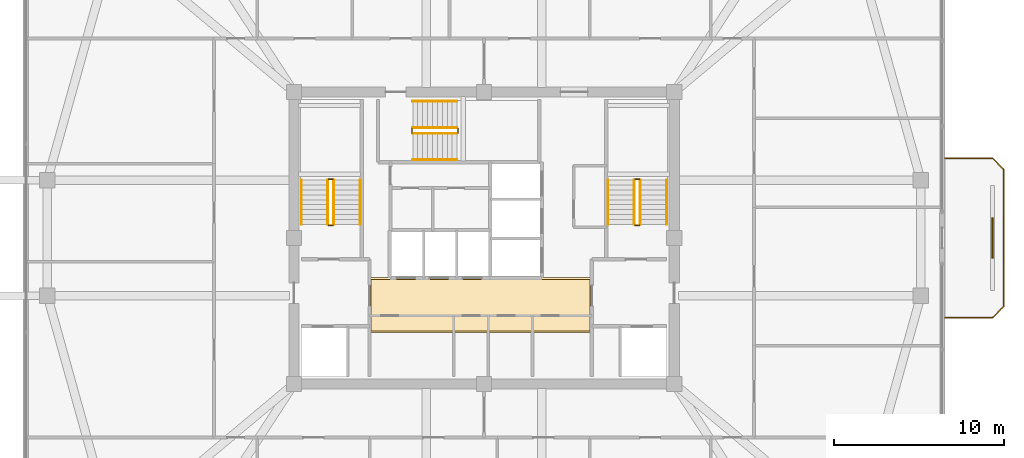
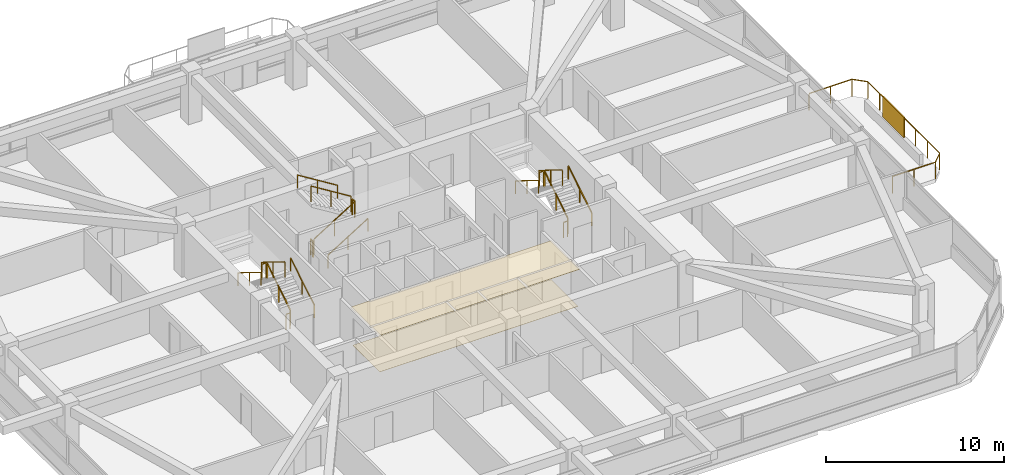
# One storey, part 13 of 14: 19 railings, 2 coverings, 1 shading device.
"""IFC4 building model written with IfcOpenShell, lengths in metres."""

from ifc_helpers import new_model, si_unit, derived_unit, direction, frame, origin, origin_2d, place, context, subcontext, project, spatial, polyline, rectangle, outline, extrude, material, layer, layer_set, type_object, element, save


model = new_model("IFC4")

# Units and contexts
model_context = context("Model", 3, precision=1e-05, world=origin(), true_north=direction((0.0, 1.0)))
body_context = subcontext(model_context, "Body", "Model", "MODEL_VIEW")
ifc_project = project(units=[si_unit("LENGTHUNIT", "METRE"), si_unit("AREAUNIT", "SQUARE_METRE"), si_unit("VOLUMEUNIT", "CUBIC_METRE"), si_unit("PLANEANGLEUNIT", "RADIAN"), si_unit("MASSUNIT", "GRAM", prefix="KILO"), derived_unit("THERMALTRANSMITTANCEUNIT", [(si_unit("POWERUNIT", "WATT"), 1), (si_unit("LENGTHUNIT", "METRE"), -2), (si_unit("THERMODYNAMICTEMPERATUREUNIT", "KELVIN"), -1)])], contexts=[model_context])

# Site, building, storey
site_placement = place(None, origin())
site = spatial("IfcSite", under=ifc_project, at=site_placement, CompositionType="ELEMENT")
building_placement = place(site_placement, origin())
building = spatial("IfcBuilding", under=site, at=building_placement, Name="Koralith Skygarden Medical Center", CompositionType="ELEMENT")
storey_placement = place(building_placement, frame((0.0, 0.0, 225.179931640625)))
storey = spatial("IfcBuildingStorey", under=building, at=storey_placement, Name="L58", CompositionType="ELEMENT", Elevation=225.179931640625)

# Covering
ifc_material_1 = material(Name="Acoustic Mineral Tile")
ifc_layer_1 = layer(ifc_material_1, 0.02001953125)
ifc_layer_set_1 = layer_set([ifc_layer_1], Name="Acoustic Mineral Tile")
covering_type_1 = type_object("IfcCoveringType", Name="Acoustic Hygienic Mineral Ceiling 20", PredefinedType="CEILING", material=ifc_layer_set_1)
covering_1_placement = place(storey_placement, frame((0.0, 0.0, 2.5849609375)))
element("IfcCovering", 1, at=covering_1_placement, inside=storey, type_object=covering_type_1, Name="L58 Core Lobby Acoustic Ceiling", PredefinedType="CEILING", context=body_context, shape_type="SweptSolid", body=[
    extrude(outline(polyline([(30.25, 20.320068359375), (43.35009765625, 20.320068359375), (43.35009765625, 23.56005859375), (30.25, 23.56005859375), (30.25, 20.320068359375)])), origin(), (0.0, 0.0, 1.0), 0.02001953125),
])

# Railing
ifc_material_2 = material(Name="Steel ASTM A500 Grade C", Category="steel")
railing_type_1 = type_object("IfcRailingType", Name="Outdoor Terrace & Balcony Safety Guardrail 1180", PredefinedType="GUARDRAIL", material=ifc_material_2)
railing_1_placement = place(storey_placement, frame((64.14208984375, 21.199951171875, 0.0)))
element("IfcRailing", 2, at=railing_1_placement, inside=storey, type_object=railing_type_1, Name="L58 E Balcony Perimeter Guardrail", PredefinedType="GUARDRAIL", context=body_context, shape_type="SweptSolid", body=[
    extrude(rectangle(XDim=0.050048828125, YDim=0.050048828125, at=origin_2d()), frame((0.001953125, 0.0, 1.15478515625), z_axis=(1.0, 0.0, 0.0), x_axis=(0.0, 1.0, 0.0)), (0.0, 0.0, 1.0), 2.7958984375),
    extrude(rectangle(XDim=0.050048828125, YDim=0.050048828125, at=origin_2d()), frame((2.80126953125, 0.00146484375, 1.15478515625), z_axis=(0.707106781187, 0.707106781187, 0.0), x_axis=(-0.707106781187, 0.707106781187, 0.0)), (0.0, 0.0, 1.0), 0.91552734375),
    extrude(rectangle(XDim=0.050048828125, YDim=0.050048828125, at=origin_2d()), frame((3.449951171875, 0.652099609375, 1.15478515625), z_axis=(0.0, 1.0, 0.0), x_axis=(-1.0, 0.0, 0.0)), (0.0, 0.0, 1.0), 8.095947265625),
    extrude(rectangle(XDim=0.050048828125, YDim=0.050048828125, at=origin_2d()), frame((3.448486328125, 8.75146484375, 1.15478515625), z_axis=(-0.707106781187, 0.707106781187, 0.0), x_axis=(-0.707106781187, -0.707106781187, 0.0)), (0.0, 0.0, 1.0), 0.91552734375),
    extrude(rectangle(XDim=0.050048828125, YDim=0.050048828125, at=origin_2d()), frame((2.7978515625, 9.400146484375, 1.15478515625), z_axis=(-1.0, 0.0, 0.0), x_axis=(0.0, -1.0, 0.0)), (0.0, 0.0, 1.0), 2.7958984375),
    extrude(rectangle(XDim=0.0419921875, YDim=0.0419921875, at=origin_2d()), origin(), (0.0, 0.0, 1.0), 1.1279296875),
    extrude(rectangle(XDim=0.0419921875, YDim=0.0419921875, at=origin_2d()), frame((1.39990234375, 0.0, 0.0)), (0.0, 0.0, 1.0), 1.1279296875),
    extrude(rectangle(XDim=0.0419921875, YDim=0.0419921875, at=origin_2d()), frame((2.7998046875, 0.0, 0.0)), (0.0, 0.0, 1.0), 1.1279296875),
    extrude(rectangle(XDim=0.0419921875, YDim=0.0419921875, at=origin_2d()), frame((3.449951171875, 0.650146484375, 0.0)), (0.0, 0.0, 1.0), 1.1279296875),
    extrude(rectangle(XDim=0.0419921875, YDim=0.0419921875, at=origin_2d()), frame((3.449951171875, 2.0, 0.0)), (0.0, 0.0, 1.0), 1.1279296875),
    extrude(rectangle(XDim=0.0419921875, YDim=0.0419921875, at=origin_2d()), frame((3.449951171875, 3.35009765625, 0.0)), (0.0, 0.0, 1.0), 1.1279296875),
    extrude(rectangle(XDim=0.0419921875, YDim=0.0419921875, at=origin_2d()), frame((3.449951171875, 4.7001953125, 0.0)), (0.0, 0.0, 1.0), 1.1279296875),
    extrude(rectangle(XDim=0.0419921875, YDim=0.0419921875, at=origin_2d()), frame((3.449951171875, 6.050048828125, 0.0)), (0.0, 0.0, 1.0), 1.1279296875),
    extrude(rectangle(XDim=0.0419921875, YDim=0.0419921875, at=origin_2d()), frame((3.449951171875, 7.39990234375, 0.0)), (0.0, 0.0, 1.0), 1.1279296875),
    extrude(rectangle(XDim=0.0419921875, YDim=0.0419921875, at=origin_2d()), frame((3.449951171875, 8.75, 0.0)), (0.0, 0.0, 1.0), 1.1279296875),
    extrude(rectangle(XDim=0.0419921875, YDim=0.0419921875, at=origin_2d()), frame((2.7998046875, 9.400146484375, 0.0)), (0.0, 0.0, 1.0), 1.1279296875),
    extrude(rectangle(XDim=0.0419921875, YDim=0.0419921875, at=origin_2d()), frame((1.39990234375, 9.400146484375, 0.0)), (0.0, 0.0, 1.0), 1.1279296875),
    extrude(rectangle(XDim=0.0419921875, YDim=0.0419921875, at=origin_2d()), frame((0.0, 9.400146484375, 0.0)), (0.0, 0.0, 1.0), 1.1279296875),
])

# Shading device
ifc_material_3 = material(Name="Aluminium 6063-T6", Category="aluminium")
ifc_layer_2 = layer(ifc_material_3, 0.080078125)
ifc_layer_set_2 = layer_set([ifc_layer_2], Name="Aluminium 6063-T6")
shading_device_type = type_object("IfcShadingDeviceType", Name="Perforated Biophilic Balcony Trellis Screen", PredefinedType="USERDEFINED", material=ifc_layer_set_2)
shading_device_placement = place(storey_placement, frame((66.94189453125, 25.89990234375, 0.72021484375), z_axis=(0.0, 0.0, 1.0), x_axis=(0.0, 1.0, 0.0)))
element("IfcShadingDevice", 3, at=shading_device_placement, inside=storey, type_object=shading_device_type, Name="L58 E Biophilic Balcony Trellis Screen", ObjectType="HURRICANE SCREEN", PredefinedType="USERDEFINED", context=body_context, shape_type="SweptSolid", body=[
    extrude(rectangle(XDim=2.39990234375, YDim=0.080078125, at=origin_2d()), origin(), (0.0, 0.0, 1.0), 1.39990234375),
])

# Covering
ifc_material_4 = material(Name="Medical Terrazzo Flooring")
ifc_layer_3 = layer(ifc_material_4, 0.014892578125)
ifc_layer_set_3 = layer_set([ifc_layer_3], Name="Medical Terrazzo Flooring")
covering_type_2 = type_object("IfcCoveringType", Name="Seamless Antimicrobial Terrazzo Flooring 15", PredefinedType="FLOORING", material=ifc_layer_set_3)
covering_2_placement = place(storey_placement, origin())
element("IfcCovering", 4, at=covering_2_placement, inside=storey, type_object=covering_type_2, Name="L58 Core Lobby Terrazzo Flooring", PredefinedType="FLOORING", context=body_context, shape_type="SweptSolid", body=[
    extrude(outline(polyline([(30.35009765625, 20.419921875), (43.25, 20.419921875), (43.25, 23.4599609375), (30.35009765625, 23.4599609375), (30.35009765625, 20.419921875)])), origin(), (0.0, 0.0, 1.0), 0.01513671875),
])

# Railings
railing_type_2 = type_object("IfcRailingType", Name="Stair Flight Tubular Handrail 920", PredefinedType="HANDRAIL", material=ifc_material_2)
railing_2_placement = place(storey_placement, frame((29.699951171875, 26.699951171875, 0.18017578125)))
element("IfcRailing", 5, at=railing_2_placement, inside=storey, type_object=railing_type_2, Name="L58 ST1 stair handrail 1", PredefinedType="HANDRAIL", context=body_context, shape_type="SweptSolid", body=[
    extrude(rectangle(XDim=0.050048828125, YDim=0.050048828125, at=origin_2d()), frame((0.0, 0.001708984375, 0.89599609375), z_axis=(0.0, 0.849668407637, 0.527317358963), x_axis=(-1.0, 0.0, 0.0)), (0.0, 0.0, 1.0), 3.06787109375),
    extrude(rectangle(XDim=0.0419921875, YDim=0.0419921875, at=origin_2d()), origin(), (0.0, 0.0, 1.0), 0.867919921875),
    extrude(rectangle(XDim=0.0419921875, YDim=0.0419921875, at=origin_2d()), frame((0.0, 1.30517578125, 0.81005859375)), (0.0, 0.0, 1.0), 0.867919921875),
    extrude(rectangle(XDim=0.0419921875, YDim=0.0419921875, at=origin_2d()), frame((0.0, 2.610107421875, 1.619873046875)), (0.0, 0.0, 1.0), 0.867919921875),
])
railing_3_placement = place(storey_placement, frame((26.25, 29.31005859375, 1.97998046875)))
element("IfcRailing", 6, at=railing_3_placement, inside=storey, type_object=railing_type_2, Name="L58 ST1 stair handrail 2", PredefinedType="HANDRAIL", context=body_context, shape_type="SweptSolid", body=[
    extrude(rectangle(XDim=0.050048828125, YDim=0.050048828125, at=origin_2d()), frame((0.0, -0.001708984375, 0.89599609375), z_axis=(0.0, -0.849632798774, 0.527374731332), x_axis=(1.0, 0.0, 0.0)), (0.0, 0.0, 1.0), 3.068115234375),
    extrude(rectangle(XDim=0.0419921875, YDim=0.0419921875, at=origin_2d()), origin(), (0.0, 0.0, 1.0), 0.867919921875),
    extrude(rectangle(XDim=0.0419921875, YDim=0.0419921875, at=origin_2d()), frame((0.0, -1.30517578125, 0.81005859375)), (0.0, 0.0, 1.0), 0.867919921875),
    extrude(rectangle(XDim=0.0419921875, YDim=0.0419921875, at=origin_2d()), frame((0.0, -2.610107421875, 1.6201171875)), (0.0, 0.0, 1.0), 0.867919921875),
])
railing_4_placement = place(storey_placement, frame((47.75, 26.699951171875, 0.18017578125)))
element("IfcRailing", 7, at=railing_4_placement, inside=storey, type_object=railing_type_2, Name="L58 ST2 stair handrail 1", PredefinedType="HANDRAIL", context=body_context, shape_type="SweptSolid", body=[
    extrude(rectangle(XDim=0.050048828125, YDim=0.050048828125, at=origin_2d()), frame((0.0, 0.001708984375, 0.89599609375), z_axis=(0.0, 0.849668407637, 0.527317358963), x_axis=(-1.0, 0.0, 0.0)), (0.0, 0.0, 1.0), 3.06787109375),
    extrude(rectangle(XDim=0.0419921875, YDim=0.0419921875, at=origin_2d()), origin(), (0.0, 0.0, 1.0), 0.867919921875),
    extrude(rectangle(XDim=0.0419921875, YDim=0.0419921875, at=origin_2d()), frame((0.0, 1.30517578125, 0.81005859375)), (0.0, 0.0, 1.0), 0.867919921875),
    extrude(rectangle(XDim=0.0419921875, YDim=0.0419921875, at=origin_2d()), frame((0.0, 2.610107421875, 1.619873046875)), (0.0, 0.0, 1.0), 0.867919921875),
])
railing_5_placement = place(storey_placement, frame((44.300048828125, 29.31005859375, 1.97998046875)))
element("IfcRailing", 8, at=railing_5_placement, inside=storey, type_object=railing_type_2, Name="L58 ST2 stair handrail 2", PredefinedType="HANDRAIL", context=body_context, shape_type="SweptSolid", body=[
    extrude(rectangle(XDim=0.050048828125, YDim=0.050048828125, at=origin_2d()), frame((0.0, -0.001708984375, 0.89599609375), z_axis=(0.0, -0.849632798774, 0.527374731332), x_axis=(1.0, 0.0, 0.0)), (0.0, 0.0, 1.0), 3.068115234375),
    extrude(rectangle(XDim=0.0419921875, YDim=0.0419921875, at=origin_2d()), origin(), (0.0, 0.0, 1.0), 0.867919921875),
    extrude(rectangle(XDim=0.0419921875, YDim=0.0419921875, at=origin_2d()), frame((0.0, -1.30517578125, 0.81005859375)), (0.0, 0.0, 1.0), 0.867919921875),
    extrude(rectangle(XDim=0.0419921875, YDim=0.0419921875, at=origin_2d()), frame((0.0, -2.610107421875, 1.6201171875)), (0.0, 0.0, 1.0), 0.867919921875),
])
railing_6_placement = place(storey_placement, frame((32.800048828125, 30.5, 0.18017578125)))
element("IfcRailing", 9, at=railing_6_placement, inside=storey, type_object=railing_type_2, Name="L58 ST3 stair handrail 1", PredefinedType="HANDRAIL", context=body_context, shape_type="SweptSolid", body=[
    extrude(rectangle(XDim=0.050048828125, YDim=0.050048828125, at=origin_2d()), frame((0.001708984375, 0.0, 0.89599609375), z_axis=(0.849646306263, 0.0, 0.527352969322), x_axis=(0.0, 1.0, 0.0)), (0.0, 0.0, 1.0), 3.067626953125),
    extrude(rectangle(XDim=0.0419921875, YDim=0.0419921875, at=origin_2d()), origin(), (0.0, 0.0, 1.0), 0.867919921875),
    extrude(rectangle(XDim=0.0419921875, YDim=0.0419921875, at=origin_2d()), frame((1.304931640625, 0.0, 0.81005859375)), (0.0, 0.0, 1.0), 0.867919921875),
    extrude(rectangle(XDim=0.0419921875, YDim=0.0419921875, at=origin_2d()), frame((2.60986328125, 0.0, 1.619873046875)), (0.0, 0.0, 1.0), 0.867919921875),
])
railing_7_placement = place(storey_placement, frame((35.409912109375, 33.949951171875, 1.97998046875)))
element("IfcRailing", 10, at=railing_7_placement, inside=storey, type_object=railing_type_2, Name="L58 ST3 stair handrail 2", PredefinedType="HANDRAIL", context=body_context, shape_type="SweptSolid", body=[
    extrude(rectangle(XDim=0.050048828125, YDim=0.050048828125, at=origin_2d()), frame((-0.001708984375, 0.0, 0.89599609375), z_axis=(-0.849610693518, 0.0, 0.52741034258), x_axis=(0.0, -1.0, 0.0)), (0.0, 0.0, 1.0), 3.06787109375),
    extrude(rectangle(XDim=0.0419921875, YDim=0.0419921875, at=origin_2d()), origin(), (0.0, 0.0, 1.0), 0.867919921875),
    extrude(rectangle(XDim=0.0419921875, YDim=0.0419921875, at=origin_2d()), frame((-1.304931640625, 0.0, 0.81005859375)), (0.0, 0.0, 1.0), 0.867919921875),
    extrude(rectangle(XDim=0.0419921875, YDim=0.0419921875, at=origin_2d()), frame((-2.60986328125, 0.0, 1.6201171875)), (0.0, 0.0, 1.0), 0.867919921875),
])
railing_type_3 = type_object("IfcRailingType", Name="Stair Well Safety Guardrail 1100", PredefinedType="GUARDRAIL", material=ifc_material_2)
railing_8_placement = place(storey_placement, frame((28.14990234375, 26.699951171875, 0.18017578125)))
element("IfcRailing", 11, at=railing_8_placement, inside=storey, type_object=railing_type_3, Name="L58 ST1 stair guard 1", PredefinedType="GUARDRAIL", context=body_context, shape_type="SweptSolid", body=[
    extrude(rectangle(XDim=0.050048828125, YDim=0.050048828125, at=origin_2d()), frame((0.0, 0.001708984375, 1.076171875), z_axis=(0.0, 0.849668407637, 0.527317358963), x_axis=(-1.0, 0.0, 0.0)), (0.0, 0.0, 1.0), 3.06787109375),
    extrude(rectangle(XDim=0.0419921875, YDim=0.0419921875, at=origin_2d()), origin(), (0.0, 0.0, 1.0), 1.048095703125),
    extrude(rectangle(XDim=0.0419921875, YDim=0.0419921875, at=origin_2d()), frame((0.0, 1.30517578125, 0.81005859375)), (0.0, 0.0, 1.0), 1.048095703125),
    extrude(rectangle(XDim=0.0419921875, YDim=0.0419921875, at=origin_2d()), frame((0.0, 2.610107421875, 1.619873046875)), (0.0, 0.0, 1.0), 1.048095703125),
])
railing_9_placement = place(storey_placement, frame((28.10009765625, 29.360107421875, 1.800048828125)))
element("IfcRailing", 12, at=railing_9_placement, inside=storey, type_object=railing_type_3, Name="L58 ST1 stair guard 2", PredefinedType="GUARDRAIL", context=body_context, shape_type="SweptSolid", body=[
    extrude(rectangle(XDim=0.050048828125, YDim=0.050048828125, at=origin_2d()), frame((-0.001953125, 0.0, 1.0751953125), z_axis=(-1.0, 0.0, 0.0), x_axis=(0.0, -1.0, 0.0)), (0.0, 0.0, 1.0), 0.24609375),
    extrude(rectangle(XDim=0.0419921875, YDim=0.0419921875, at=origin_2d()), origin(), (0.0, 0.0, 1.0), 1.048095703125),
    extrude(rectangle(XDim=0.0419921875, YDim=0.0419921875, at=origin_2d()), frame((-0.25, 0.0, 0.0)), (0.0, 0.0, 1.0), 1.048095703125),
])
railing_10_placement = place(storey_placement, frame((27.800048828125, 29.31005859375, 1.97998046875)))
element("IfcRailing", 13, at=railing_10_placement, inside=storey, type_object=railing_type_3, Name="L58 ST1 stair guard 3", PredefinedType="GUARDRAIL", context=body_context, shape_type="SweptSolid", body=[
    extrude(rectangle(XDim=0.050048828125, YDim=0.050048828125, at=origin_2d()), frame((0.0, -0.001708984375, 1.076171875), z_axis=(0.0, -0.849632798774, 0.527374731332), x_axis=(1.0, 0.0, 0.0)), (0.0, 0.0, 1.0), 3.068115234375),
    extrude(rectangle(XDim=0.0419921875, YDim=0.0419921875, at=origin_2d()), origin(), (0.0, 0.0, 1.0), 1.048095703125),
    extrude(rectangle(XDim=0.0419921875, YDim=0.0419921875, at=origin_2d()), frame((0.0, -1.30517578125, 0.81005859375)), (0.0, 0.0, 1.0), 1.048095703125),
    extrude(rectangle(XDim=0.0419921875, YDim=0.0419921875, at=origin_2d()), frame((0.0, -2.610107421875, 1.6201171875)), (0.0, 0.0, 1.0), 1.048095703125),
])
railing_11_placement = place(storey_placement, frame((28.10009765625, 26.64990234375, 0.0)))
element("IfcRailing", 14, at=railing_11_placement, inside=storey, type_object=railing_type_3, Name="L58 ST1 stair guard 4", PredefinedType="GUARDRAIL", context=body_context, shape_type="SweptSolid", body=[
    extrude(rectangle(XDim=0.050048828125, YDim=0.050048828125, at=origin_2d()), frame((-0.001953125, 0.0, 1.0751953125), z_axis=(-1.0, 0.0, 0.0), x_axis=(0.0, -1.0, 0.0)), (0.0, 0.0, 1.0), 0.24609375),
    extrude(rectangle(XDim=0.0419921875, YDim=0.0419921875, at=origin_2d()), origin(), (0.0, 0.0, 1.0), 1.048095703125),
    extrude(rectangle(XDim=0.0419921875, YDim=0.0419921875, at=origin_2d()), frame((-0.25, 0.0, 0.0)), (0.0, 0.0, 1.0), 1.048095703125),
])
railing_12_placement = place(storey_placement, frame((46.199951171875, 26.699951171875, 0.18017578125)))
element("IfcRailing", 15, at=railing_12_placement, inside=storey, type_object=railing_type_3, Name="L58 ST2 stair guard 1", PredefinedType="GUARDRAIL", context=body_context, shape_type="SweptSolid", body=[
    extrude(rectangle(XDim=0.050048828125, YDim=0.050048828125, at=origin_2d()), frame((0.0, 0.001708984375, 1.076171875), z_axis=(0.0, 0.849668407637, 0.527317358963), x_axis=(-1.0, 0.0, 0.0)), (0.0, 0.0, 1.0), 3.06787109375),
    extrude(rectangle(XDim=0.0419921875, YDim=0.0419921875, at=origin_2d()), origin(), (0.0, 0.0, 1.0), 1.048095703125),
    extrude(rectangle(XDim=0.0419921875, YDim=0.0419921875, at=origin_2d()), frame((0.0, 1.30517578125, 0.81005859375)), (0.0, 0.0, 1.0), 1.048095703125),
    extrude(rectangle(XDim=0.0419921875, YDim=0.0419921875, at=origin_2d()), frame((0.0, 2.610107421875, 1.619873046875)), (0.0, 0.0, 1.0), 1.048095703125),
])
railing_13_placement = place(storey_placement, frame((46.14990234375, 29.360107421875, 1.800048828125)))
element("IfcRailing", 16, at=railing_13_placement, inside=storey, type_object=railing_type_3, Name="L58 ST2 stair guard 2", PredefinedType="GUARDRAIL", context=body_context, shape_type="SweptSolid", body=[
    extrude(rectangle(XDim=0.050048828125, YDim=0.050048828125, at=origin_2d()), frame((-0.001953125, 0.0, 1.0751953125), z_axis=(-1.0, 0.0, 0.0), x_axis=(0.0, -1.0, 0.0)), (0.0, 0.0, 1.0), 0.24609375),
    extrude(rectangle(XDim=0.0419921875, YDim=0.0419921875, at=origin_2d()), origin(), (0.0, 0.0, 1.0), 1.048095703125),
    extrude(rectangle(XDim=0.0419921875, YDim=0.0419921875, at=origin_2d()), frame((-0.25, 0.0, 0.0)), (0.0, 0.0, 1.0), 1.048095703125),
])
railing_14_placement = place(storey_placement, frame((45.85009765625, 29.31005859375, 1.97998046875)))
element("IfcRailing", 17, at=railing_14_placement, inside=storey, type_object=railing_type_3, Name="L58 ST2 stair guard 3", PredefinedType="GUARDRAIL", context=body_context, shape_type="SweptSolid", body=[
    extrude(rectangle(XDim=0.050048828125, YDim=0.050048828125, at=origin_2d()), frame((0.0, -0.001708984375, 1.076171875), z_axis=(0.0, -0.849632798774, 0.527374731332), x_axis=(1.0, 0.0, 0.0)), (0.0, 0.0, 1.0), 3.068115234375),
    extrude(rectangle(XDim=0.0419921875, YDim=0.0419921875, at=origin_2d()), origin(), (0.0, 0.0, 1.0), 1.048095703125),
    extrude(rectangle(XDim=0.0419921875, YDim=0.0419921875, at=origin_2d()), frame((0.0, -1.30517578125, 0.81005859375)), (0.0, 0.0, 1.0), 1.048095703125),
    extrude(rectangle(XDim=0.0419921875, YDim=0.0419921875, at=origin_2d()), frame((0.0, -2.610107421875, 1.6201171875)), (0.0, 0.0, 1.0), 1.048095703125),
])
railing_15_placement = place(storey_placement, frame((46.14990234375, 26.64990234375, 0.0)))
element("IfcRailing", 18, at=railing_15_placement, inside=storey, type_object=railing_type_3, Name="L58 ST2 stair guard 4", PredefinedType="GUARDRAIL", context=body_context, shape_type="SweptSolid", body=[
    extrude(rectangle(XDim=0.050048828125, YDim=0.050048828125, at=origin_2d()), frame((-0.001953125, 0.0, 1.0751953125), z_axis=(-1.0, 0.0, 0.0), x_axis=(0.0, -1.0, 0.0)), (0.0, 0.0, 1.0), 0.24609375),
    extrude(rectangle(XDim=0.0419921875, YDim=0.0419921875, at=origin_2d()), origin(), (0.0, 0.0, 1.0), 1.048095703125),
    extrude(rectangle(XDim=0.0419921875, YDim=0.0419921875, at=origin_2d()), frame((-0.25, 0.0, 0.0)), (0.0, 0.0, 1.0), 1.048095703125),
])
railing_16_placement = place(storey_placement, frame((32.800048828125, 32.050048828125, 0.18017578125)))
element("IfcRailing", 19, at=railing_16_placement, inside=storey, type_object=railing_type_3, Name="L58 ST3 stair guard 1", PredefinedType="GUARDRAIL", context=body_context, shape_type="SweptSolid", body=[
    extrude(rectangle(XDim=0.050048828125, YDim=0.050048828125, at=origin_2d()), frame((0.001708984375, 0.0, 1.076171875), z_axis=(0.849646306263, 0.0, 0.527352969322), x_axis=(0.0, 1.0, 0.0)), (0.0, 0.0, 1.0), 3.067626953125),
    extrude(rectangle(XDim=0.0419921875, YDim=0.0419921875, at=origin_2d()), origin(), (0.0, 0.0, 1.0), 1.048095703125),
    extrude(rectangle(XDim=0.0419921875, YDim=0.0419921875, at=origin_2d()), frame((1.304931640625, 0.0, 0.81005859375)), (0.0, 0.0, 1.0), 1.048095703125),
    extrude(rectangle(XDim=0.0419921875, YDim=0.0419921875, at=origin_2d()), frame((2.60986328125, 0.0, 1.619873046875)), (0.0, 0.0, 1.0), 1.048095703125),
])
railing_17_placement = place(storey_placement, frame((35.4599609375, 32.10009765625, 1.800048828125)))
element("IfcRailing", 20, at=railing_17_placement, inside=storey, type_object=railing_type_3, Name="L58 ST3 stair guard 2", PredefinedType="GUARDRAIL", context=body_context, shape_type="SweptSolid", body=[
    extrude(rectangle(XDim=0.050048828125, YDim=0.050048828125, at=origin_2d()), frame((0.0, 0.001953125, 1.0751953125), z_axis=(0.0, 1.0, 0.0), x_axis=(-1.0, 0.0, 0.0)), (0.0, 0.0, 1.0), 0.24609375),
    extrude(rectangle(XDim=0.0419921875, YDim=0.0419921875, at=origin_2d()), origin(), (0.0, 0.0, 1.0), 1.048095703125),
    extrude(rectangle(XDim=0.0419921875, YDim=0.0419921875, at=origin_2d()), frame((0.0, 0.25, 0.0)), (0.0, 0.0, 1.0), 1.048095703125),
])
railing_18_placement = place(storey_placement, frame((35.409912109375, 32.39990234375, 1.97998046875)))
element("IfcRailing", 21, at=railing_18_placement, inside=storey, type_object=railing_type_3, Name="L58 ST3 stair guard 3", PredefinedType="GUARDRAIL", context=body_context, shape_type="SweptSolid", body=[
    extrude(rectangle(XDim=0.050048828125, YDim=0.050048828125, at=origin_2d()), frame((-0.001708984375, 0.0, 1.076171875), z_axis=(-0.849610693518, 0.0, 0.52741034258), x_axis=(0.0, -1.0, 0.0)), (0.0, 0.0, 1.0), 3.06787109375),
    extrude(rectangle(XDim=0.0419921875, YDim=0.0419921875, at=origin_2d()), origin(), (0.0, 0.0, 1.0), 1.048095703125),
    extrude(rectangle(XDim=0.0419921875, YDim=0.0419921875, at=origin_2d()), frame((-1.304931640625, 0.0, 0.81005859375)), (0.0, 0.0, 1.0), 1.048095703125),
    extrude(rectangle(XDim=0.0419921875, YDim=0.0419921875, at=origin_2d()), frame((-2.60986328125, 0.0, 1.6201171875)), (0.0, 0.0, 1.0), 1.048095703125),
])
railing_19_placement = place(storey_placement, frame((32.75, 32.10009765625, 0.0)))
element("IfcRailing", 22, at=railing_19_placement, inside=storey, type_object=railing_type_3, Name="L58 ST3 stair guard 4", PredefinedType="GUARDRAIL", context=body_context, shape_type="SweptSolid", body=[
    extrude(rectangle(XDim=0.050048828125, YDim=0.050048828125, at=origin_2d()), frame((0.0, 0.001953125, 1.0751953125), z_axis=(0.0, 1.0, 0.0), x_axis=(-1.0, 0.0, 0.0)), (0.0, 0.0, 1.0), 0.24609375),
    extrude(rectangle(XDim=0.0419921875, YDim=0.0419921875, at=origin_2d()), origin(), (0.0, 0.0, 1.0), 1.048095703125),
    extrude(rectangle(XDim=0.0419921875, YDim=0.0419921875, at=origin_2d()), frame((0.0, 0.25, 0.0)), (0.0, 0.0, 1.0), 1.048095703125),
])

save(model, "model.ifc")
